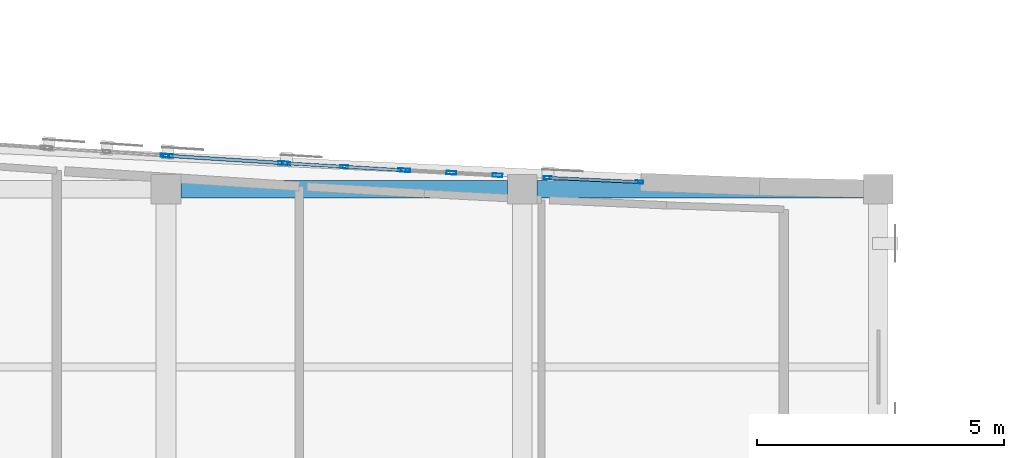
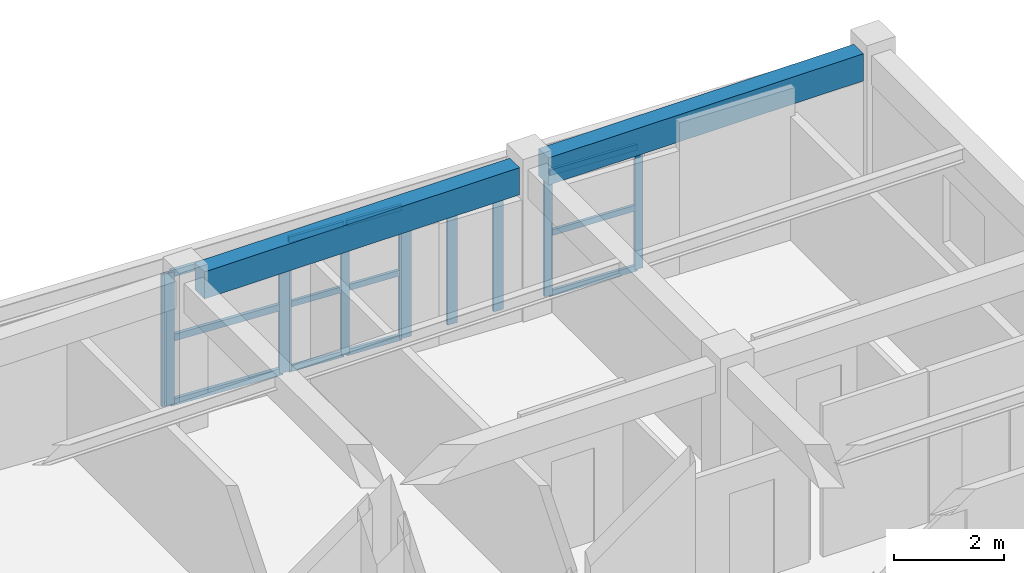
# One storey, part 40 of 73: 23 members, 2 beams, 5 elements without a shape of their own.
"""IFC4 building model written with IfcOpenShell, lengths in metres."""

from ifc_helpers import new_model, si_unit, direction, frame, origin, origin_2d, place, context, subcontext, project, spatial, rectangle, hollow_rectangle, extrude, material, layer, layer_set, material_profile, profile_set, type_object, element, aggregate, save


model = new_model("IFC4")

# Units and contexts
model_context = context("Model", 3, precision=1e-05, world=origin(), true_north=direction((0.0, 1.0)))
body_context = subcontext(model_context, "Body", "Model", "MODEL_VIEW")
ifc_project = project(units=[si_unit("LENGTHUNIT", "METRE"), si_unit("AREAUNIT", "SQUARE_METRE"), si_unit("VOLUMEUNIT", "CUBIC_METRE"), si_unit("PLANEANGLEUNIT", "RADIAN"), si_unit("MASSUNIT", "GRAM", prefix="KILO")], contexts=[model_context])

# Site, building, storey
site_placement = place(None, origin())
site = spatial("IfcSite", under=ifc_project, at=site_placement, CompositionType="ELEMENT")
building_placement = place(site_placement, origin())
building = spatial("IfcBuilding", under=site, at=building_placement, Name="Carrowvane Square Congress Hotel", CompositionType="ELEMENT")
storey_placement = place(building_placement, frame((0.0, 0.0, 19.199951171875)))
storey = spatial("IfcBuildingStorey", under=building, at=storey_placement, Name="L04", CompositionType="ELEMENT", Elevation=19.199951171875)

# Beams
ifc_material_1 = material(Name="Concrete C35/45", Category="concrete")
ifc_material_profile_1 = material_profile(ifc_material_1, rectangle(XDim=0.35009765625, YDim=0.60009765625, at=origin_2d()), Name="RC 350x600")
ifc_profile_set_1 = profile_set([ifc_material_profile_1], Name="Concrete C35/45")
beam_type = type_object("IfcBeamType", Name="BM-RC-350x600", PredefinedType="BEAM", material=ifc_profile_set_1)
for number, where, z_axis, x_axis, name in (
    (1, (148.699951171875, 113.39990234375, 3.050048828125), (1.0, 0.0, 0.0), (0.0, 1.0, 0.0), "L05 girder R/20-21"),
    (2, (155.89990234375, 113.39990234375, 3.050048828125), (1.0, 0.0, 0.0), (0.0, 1.0, 0.0), "L05 girder R/21-22"),
):
    element("IfcBeam", number, at=place(storey_placement, frame(where, z_axis=z_axis, x_axis=x_axis)), inside=storey, type_object=beam_type, Name=name, PredefinedType="BEAM", context=body_context, shape_type="SweptSolid", body=[
        extrude(rectangle(XDim=0.35009765625, YDim=0.60009765625, at=origin_2d()), origin(), (0.0, 0.0, 1.0), 6.60009765625),
    ])

# Curtain wall, member
ifc_material_2 = material(Name="Anodised aluminium", Category="aluminium")
ifc_layer_1 = layer(ifc_material_2, 0.2099609375)
ifc_layer_set_1 = layer_set([ifc_layer_1], Name="Anodised aluminium")
curtain_wall_type_1 = type_object("IfcCurtainWallType", Name="CW-SYS-5", PredefinedType="NOTDEFINED", material=ifc_layer_set_1)
curtain_wall_1_placement = place(storey_placement, origin())
curtain_wall_1 = element("IfcCurtainWall", 3, at=curtain_wall_1_placement, inside=storey, type_object=curtain_wall_type_1, Name="L04 unitised curtain wall 292", PredefinedType="NOTDEFINED")
ifc_material_3 = material(Name="Anodised aluminium", Category="aluminium")
ifc_material_profile_2 = material_profile(ifc_material_3, hollow_rectangle(XDim=0.06005859375, YDim=0.159912109375, WallThickness=0.00390625, at=origin_2d()), Name="CW-ML 60x160x4")
ifc_profile_set_2 = profile_set([ifc_material_profile_2], Name="Anodised aluminium")
member_type_1 = type_object("IfcMemberType", Name="CW-MUL-1", PredefinedType="MULLION", material=ifc_profile_set_2)
member_1_placement = place(storey_placement, frame((148.3701171875, 114.077392578125, 0.0), z_axis=(0.0, 0.0, 1.0), x_axis=(0.06657392244, 0.997781495544, 0.0)))
member_1 = element("IfcMember", 4, at=member_1_placement, type_object=member_type_1, Name="CW-5 mullion 3", PredefinedType="MULLION", context=body_context, shape_type="SweptSolid", body=[
    extrude(hollow_rectangle(XDim=0.06005859375, YDim=0.159912109375, WallThickness=0.00390625, at=origin_2d()), origin(), (0.0, 0.0, 1.0), 2.925537109375),
])
aggregate(curtain_wall_1, [member_1])

# Curtain wall, members
ifc_material_4 = material(Name="Anodised aluminium", Category="aluminium")
ifc_layer_2 = layer(ifc_material_4, 0.23388671875)
ifc_layer_set_2 = layer_set([ifc_layer_2], Name="Anodised aluminium")
curtain_wall_type_2 = type_object("IfcCurtainWallType", Name="CW-SYS-7", PredefinedType="NOTDEFINED", material=ifc_layer_set_2)
curtain_wall_2_placement = place(storey_placement, origin())
curtain_wall_2 = element("IfcCurtainWall", 5, at=curtain_wall_2_placement, inside=storey, type_object=curtain_wall_type_2, Name="L04 unitised curtain wall 294", PredefinedType="NOTDEFINED")
member_2_placement = place(storey_placement, frame((150.829833984375, 113.92138671875, 0.0), z_axis=(0.0, 0.0, 1.0), x_axis=(0.058988522254, 0.99825866099, 0.0)))
member_2 = element("IfcMember", 6, at=member_2_placement, type_object=member_type_1, Name="CW-7 mullion 1", PredefinedType="MULLION", context=body_context, shape_type="SweptSolid", body=[
    extrude(hollow_rectangle(XDim=0.06005859375, YDim=0.159912109375, WallThickness=0.00390625, at=origin_2d()), origin(), (0.0, 0.0, 1.0), 2.925537109375),
])
member_3_placement = place(storey_placement, frame((152.0, 113.852294921875, 0.0), z_axis=(0.0, 0.0, 1.0), x_axis=(0.058988522254, 0.99825866099, 0.0)))
member_3 = element("IfcMember", 7, at=member_3_placement, type_object=member_type_1, Name="CW-7 mullion 2", PredefinedType="MULLION", context=body_context, shape_type="SweptSolid", body=[
    extrude(hollow_rectangle(XDim=0.06005859375, YDim=0.159912109375, WallThickness=0.00390625, at=origin_2d()), origin(), (0.0, 0.0, 1.0), 2.925537109375),
])
member_4_placement = place(storey_placement, frame((153.170166015625, 113.783203125, 0.0), z_axis=(0.0, 0.0, 1.0), x_axis=(0.058988522254, 0.99825866099, 0.0)))
member_4 = element("IfcMember", 8, at=member_4_placement, type_object=member_type_1, Name="CW-7 mullion 3", PredefinedType="MULLION", context=body_context, shape_type="SweptSolid", body=[
    extrude(hollow_rectangle(XDim=0.06005859375, YDim=0.159912109375, WallThickness=0.00390625, at=origin_2d()), origin(), (0.0, 0.0, 1.0), 2.925537109375),
])

ifc_material_5 = material(Name="Anodised aluminium", Category="aluminium")
ifc_layer_3 = layer(ifc_material_5, 0.162109375)
ifc_layer_set_3 = layer_set([ifc_layer_3], Name="Anodised aluminium")
curtain_wall_type_3 = type_object("IfcCurtainWallType", Name="CW-SYS-1", PredefinedType="NOTDEFINED", material=ifc_layer_set_3)
curtain_wall_3_placement = place(storey_placement, origin())
curtain_wall_3 = element("IfcCurtainWall", 9, at=curtain_wall_3_placement, inside=storey, type_object=curtain_wall_type_3, Name="L04 unitised curtain wall 296", PredefinedType="NOTDEFINED")
member_5_placement = place(storey_placement, frame((156.11865234375, 113.628662109375, 0.0), z_axis=(0.0, 0.0, 1.0), x_axis=(0.046522035775, 0.998917263935, 0.0)))
member_5 = element("IfcMember", 10, at=member_5_placement, type_object=member_type_1, Name="CW-1 mullion 1", PredefinedType="MULLION", context=body_context, shape_type="SweptSolid", body=[
    extrude(hollow_rectangle(XDim=0.06005859375, YDim=0.159912109375, WallThickness=0.00390625, at=origin_2d()), origin(), (0.0, 0.0, 1.0), 2.735107421875),
])
member_6_placement = place(storey_placement, frame((157.969970703125, 113.54248046875, 0.0), z_axis=(0.0, 0.0, 1.0), x_axis=(0.046522035775, 0.998917263935, 0.0)))
member_6 = element("IfcMember", 11, at=member_6_placement, type_object=member_type_1, Name="CW-1 mullion 2", PredefinedType="MULLION", context=body_context, shape_type="SweptSolid", body=[
    extrude(hollow_rectangle(XDim=0.06005859375, YDim=0.159912109375, WallThickness=0.00390625, at=origin_2d()), origin(), (0.0, 0.0, 1.0), 2.735107421875),
])

ifc_material_6 = material(Name="Anodised aluminium", Category="aluminium")
ifc_layer_4 = layer(ifc_material_6, 0.221923828125)
ifc_layer_set_4 = layer_set([ifc_layer_4], Name="Anodised aluminium")
curtain_wall_type_4 = type_object("IfcCurtainWallType", Name="CW-SYS-6", PredefinedType="NOTDEFINED", material=ifc_layer_set_4)
curtain_wall_4_placement = place(storey_placement, origin())
curtain_wall_4 = element("IfcCurtainWall", 12, at=curtain_wall_4_placement, inside=storey, type_object=curtain_wall_type_4, Name="L04 unitised curtain wall 293", PredefinedType="NOTDEFINED")
ifc_material_7 = material(Name="Anodised aluminium", Category="aluminium")
ifc_material_profile_3 = material_profile(ifc_material_7, hollow_rectangle(XDim=0.070068359375, YDim=0.199951171875, WallThickness=0.0048828125, at=origin_2d()), Name="CW-ML 70x200x5")
ifc_profile_set_3 = profile_set([ifc_material_profile_3], Name="Anodised aluminium")
member_type_2 = type_object("IfcMemberType", Name="CW-MUL-2", PredefinedType="MULLION", material=ifc_profile_set_3)
member_7_placement = place(storey_placement, frame((148.434814453125, 114.0732421875, 0.0), z_axis=(0.0, 0.0, 1.0), x_axis=(0.063273487972, 0.997996225303, 0.0)))
member_7 = element("IfcMember", 13, at=member_7_placement, type_object=member_type_2, Name="CW-6 mullion 1", PredefinedType="MULLION", context=body_context, shape_type="SweptSolid", body=[
    extrude(hollow_rectangle(XDim=0.070068359375, YDim=0.199951171875, WallThickness=0.0048828125, at=origin_2d()), origin(), (0.0, 0.0, 1.0), 2.925537109375),
])
member_8_placement = place(storey_placement, frame((150.76513671875, 113.92529296875, 0.0), z_axis=(0.0, 0.0, 1.0), x_axis=(0.063273487972, 0.997996225303, 0.0)))
member_8 = element("IfcMember", 14, at=member_8_placement, type_object=member_type_2, Name="CW-6 mullion 2", PredefinedType="MULLION", context=body_context, shape_type="SweptSolid", body=[
    extrude(hollow_rectangle(XDim=0.070068359375, YDim=0.199951171875, WallThickness=0.0048828125, at=origin_2d()), origin(), (0.0, 0.0, 1.0), 2.925537109375),
])

ifc_material_8 = material(Name="Anodised aluminium", Category="aluminium")
ifc_layer_5 = layer(ifc_material_8, 0.24609375)
ifc_layer_set_5 = layer_set([ifc_layer_5], Name="Anodised aluminium")
curtain_wall_type_5 = type_object("IfcCurtainWallType", Name="CW-SYS-8", PredefinedType="NOTDEFINED", material=ifc_layer_set_5)
curtain_wall_5_placement = place(storey_placement, origin())
curtain_wall_5 = element("IfcCurtainWall", 15, at=curtain_wall_5_placement, inside=storey, type_object=curtain_wall_type_5, Name="L04 unitised curtain wall 295", PredefinedType="NOTDEFINED")
member_9_placement = place(storey_placement, frame((153.23486328125, 113.779541015625, 0.0), z_axis=(0.0, 0.0, 1.0), x_axis=(0.053516203185, 0.998566981227, 0.0)))
member_9 = element("IfcMember", 16, at=member_9_placement, type_object=member_type_2, Name="CW-8 mullion 1", PredefinedType="MULLION", context=body_context, shape_type="SweptSolid", body=[
    extrude(hollow_rectangle(XDim=0.070068359375, YDim=0.199951171875, WallThickness=0.0048828125, at=origin_2d()), origin(), (0.0, 0.0, 1.0), 2.735107421875),
])
member_10_placement = place(storey_placement, frame((154.16845703125, 113.7294921875, 0.0), z_axis=(0.0, 0.0, 1.0), x_axis=(0.053516203185, 0.998566981227, 0.0)))
member_10 = element("IfcMember", 17, at=member_10_placement, type_object=member_type_2, Name="CW-8 mullion 2", PredefinedType="MULLION", context=body_context, shape_type="SweptSolid", body=[
    extrude(hollow_rectangle(XDim=0.070068359375, YDim=0.199951171875, WallThickness=0.0048828125, at=origin_2d()), origin(), (0.0, 0.0, 1.0), 2.735107421875),
])
member_11_placement = place(storey_placement, frame((155.101806640625, 113.679443359375, 0.0), z_axis=(0.0, 0.0, 1.0), x_axis=(0.053516203185, 0.998566981227, 0.0)))
member_11 = element("IfcMember", 18, at=member_11_placement, type_object=member_type_2, Name="CW-8 mullion 3", PredefinedType="MULLION", context=body_context, shape_type="SweptSolid", body=[
    extrude(hollow_rectangle(XDim=0.070068359375, YDim=0.199951171875, WallThickness=0.0048828125, at=origin_2d()), origin(), (0.0, 0.0, 1.0), 2.735107421875),
])
aggregate(curtain_wall_5, [member_9, member_10, member_11])

# Member
ifc_material_9 = material(Name="Anodised aluminium", Category="aluminium")
ifc_material_profile_4 = material_profile(ifc_material_9, hollow_rectangle(XDim=0.06005859375, YDim=0.1298828125, WallThickness=0.00390625, at=origin_2d()), Name="CW-TR 60x130x4")
ifc_profile_set_4 = profile_set([ifc_material_profile_4], Name="Anodised aluminium")
member_type_3 = type_object("IfcMemberType", Name="CW-TRN-1", PredefinedType="USERDEFINED", material=ifc_profile_set_4)
member_12_placement = place(storey_placement, frame((150.85986328125, 113.919677734375, 0.030029296875), z_axis=(0.998254634076, -0.05905662999, 0.0), x_axis=(0.05905662999, 0.998254634076, 0.0)))
member_12 = element("IfcMember", 19, at=member_12_placement, type_object=member_type_3, Name="CW-7 transom 1.1", ObjectType="TRANSOM", PredefinedType="USERDEFINED", context=body_context, shape_type="SweptSolid", body=[
    extrude(hollow_rectangle(XDim=0.06005859375, YDim=0.1298828125, WallThickness=0.00390625, at=origin_2d()), origin(), (0.0, 0.0, 1.0), 1.112060546875),
])

member_13_placement = place(storey_placement, frame((150.85986328125, 113.919677734375, 1.462890625), z_axis=(0.998254634076, -0.05905662999, 0.0), x_axis=(0.05905662999, 0.998254634076, 0.0)))
member_13 = element("IfcMember", 20, at=member_13_placement, type_object=member_type_3, Name="CW-7 transom 1.2", ObjectType="TRANSOM", PredefinedType="USERDEFINED", context=body_context, shape_type="SweptSolid", body=[
    extrude(hollow_rectangle(XDim=0.06005859375, YDim=0.1298828125, WallThickness=0.00390625, at=origin_2d()), origin(), (0.0, 0.0, 1.0), 1.112060546875),
])

member_14_placement = place(storey_placement, frame((150.85986328125, 113.919677734375, 2.895751953125), z_axis=(0.998254634076, -0.05905662999, 0.0), x_axis=(0.05905662999, 0.998254634076, 0.0)))
member_14 = element("IfcMember", 21, at=member_14_placement, type_object=member_type_3, Name="CW-7 transom 1.3", ObjectType="TRANSOM", PredefinedType="USERDEFINED", context=body_context, shape_type="SweptSolid", body=[
    extrude(hollow_rectangle(XDim=0.06005859375, YDim=0.1298828125, WallThickness=0.00390625, at=origin_2d()), origin(), (0.0, 0.0, 1.0), 1.112060546875),
])

member_15_placement = place(storey_placement, frame((152.030029296875, 113.8505859375, 0.030029296875), z_axis=(0.998254634076, -0.05905662999, 0.0), x_axis=(0.05905662999, 0.998254634076, 0.0)))
member_15 = element("IfcMember", 22, at=member_15_placement, type_object=member_type_3, Name="CW-7 transom 2.1", ObjectType="TRANSOM", PredefinedType="USERDEFINED", context=body_context, shape_type="SweptSolid", body=[
    extrude(hollow_rectangle(XDim=0.06005859375, YDim=0.1298828125, WallThickness=0.00390625, at=origin_2d()), origin(), (0.0, 0.0, 1.0), 1.112060546875),
])

member_16_placement = place(storey_placement, frame((152.030029296875, 113.8505859375, 1.462890625), z_axis=(0.998254634076, -0.05905662999, 0.0), x_axis=(0.05905662999, 0.998254634076, 0.0)))
member_16 = element("IfcMember", 23, at=member_16_placement, type_object=member_type_3, Name="CW-7 transom 2.2", ObjectType="TRANSOM", PredefinedType="USERDEFINED", context=body_context, shape_type="SweptSolid", body=[
    extrude(hollow_rectangle(XDim=0.06005859375, YDim=0.1298828125, WallThickness=0.00390625, at=origin_2d()), origin(), (0.0, 0.0, 1.0), 1.112060546875),
])

member_17_placement = place(storey_placement, frame((152.030029296875, 113.8505859375, 2.895751953125), z_axis=(0.998254634076, -0.05905662999, 0.0), x_axis=(0.05905662999, 0.998254634076, 0.0)))
member_17 = element("IfcMember", 24, at=member_17_placement, type_object=member_type_3, Name="CW-7 transom 2.3", ObjectType="TRANSOM", PredefinedType="USERDEFINED", context=body_context, shape_type="SweptSolid", body=[
    extrude(hollow_rectangle(XDim=0.06005859375, YDim=0.1298828125, WallThickness=0.00390625, at=origin_2d()), origin(), (0.0, 0.0, 1.0), 1.112060546875),
])

aggregate(curtain_wall_2, [member_2, member_3, member_4, member_12, member_13, member_14, member_15, member_16, member_17])

member_18_placement = place(storey_placement, frame((156.1484375, 113.627197265625, 0.030029296875), z_axis=(0.998915968728, -0.04654983803, 0.0), x_axis=(0.04654983803, 0.998915968728, 0.0)))
member_18 = element("IfcMember", 25, at=member_18_placement, type_object=member_type_3, Name="CW-1 transom 1.1", ObjectType="TRANSOM", PredefinedType="USERDEFINED", context=body_context, shape_type="SweptSolid", body=[
    extrude(hollow_rectangle(XDim=0.06005859375, YDim=0.1298828125, WallThickness=0.00390625, at=origin_2d()), origin(), (0.0, 0.0, 1.0), 1.793701171875),
])

member_19_placement = place(storey_placement, frame((156.1484375, 113.627197265625, 1.367431640625), z_axis=(0.998915968728, -0.04654983803, 0.0), x_axis=(0.04654983803, 0.998915968728, 0.0)))
member_19 = element("IfcMember", 26, at=member_19_placement, type_object=member_type_3, Name="CW-1 transom 1.2", ObjectType="TRANSOM", PredefinedType="USERDEFINED", context=body_context, shape_type="SweptSolid", body=[
    extrude(hollow_rectangle(XDim=0.06005859375, YDim=0.1298828125, WallThickness=0.00390625, at=origin_2d()), origin(), (0.0, 0.0, 1.0), 1.793701171875),
])

member_20_placement = place(storey_placement, frame((156.1484375, 113.627197265625, 2.705078125), z_axis=(0.998915968728, -0.04654983803, 0.0), x_axis=(0.04654983803, 0.998915968728, 0.0)))
member_20 = element("IfcMember", 27, at=member_20_placement, type_object=member_type_3, Name="CW-1 transom 1.3", ObjectType="TRANSOM", PredefinedType="USERDEFINED", context=body_context, shape_type="SweptSolid", body=[
    extrude(hollow_rectangle(XDim=0.06005859375, YDim=0.1298828125, WallThickness=0.00390625, at=origin_2d()), origin(), (0.0, 0.0, 1.0), 1.793701171875),
])

aggregate(curtain_wall_3, [member_5, member_6, member_18, member_19, member_20])

ifc_material_10 = material(Name="Anodised aluminium", Category="aluminium")
ifc_material_profile_5 = material_profile(ifc_material_10, hollow_rectangle(XDim=0.070068359375, YDim=0.14990234375, WallThickness=0.0048828125, at=origin_2d()), Name="CW-TR 70x150x5")
ifc_profile_set_5 = profile_set([ifc_material_profile_5], Name="Anodised aluminium")
member_type_4 = type_object("IfcMemberType", Name="CW-TRN-2", PredefinedType="USERDEFINED", material=ifc_profile_set_5)
member_21_placement = place(storey_placement, frame((148.469970703125, 114.07080078125, 0.03515625), z_axis=(0.997995967248, -0.063277558088, 0.0), x_axis=(0.063277558088, 0.997995967248, 0.0)))
member_21 = element("IfcMember", 28, at=member_21_placement, type_object=member_type_4, Name="CW-6 transom 1.1", ObjectType="TRANSOM", PredefinedType="USERDEFINED", context=body_context, shape_type="SweptSolid", body=[
    extrude(hollow_rectangle(XDim=0.070068359375, YDim=0.14990234375, WallThickness=0.0048828125, at=origin_2d()), origin(), (0.0, 0.0, 1.0), 2.264892578125),
])

member_22_placement = place(storey_placement, frame((148.469970703125, 114.07080078125, 1.462890625), z_axis=(0.997995967248, -0.063277558088, 0.0), x_axis=(0.063277558088, 0.997995967248, 0.0)))
member_22 = element("IfcMember", 29, at=member_22_placement, type_object=member_type_4, Name="CW-6 transom 1.2", ObjectType="TRANSOM", PredefinedType="USERDEFINED", context=body_context, shape_type="SweptSolid", body=[
    extrude(hollow_rectangle(XDim=0.070068359375, YDim=0.14990234375, WallThickness=0.0048828125, at=origin_2d()), origin(), (0.0, 0.0, 1.0), 2.264892578125),
])

member_23_placement = place(storey_placement, frame((148.469970703125, 114.07080078125, 2.890625), z_axis=(0.997995967248, -0.063277558088, 0.0), x_axis=(0.063277558088, 0.997995967248, 0.0)))
member_23 = element("IfcMember", 30, at=member_23_placement, type_object=member_type_4, Name="CW-6 transom 1.3", ObjectType="TRANSOM", PredefinedType="USERDEFINED", context=body_context, shape_type="SweptSolid", body=[
    extrude(hollow_rectangle(XDim=0.070068359375, YDim=0.14990234375, WallThickness=0.0048828125, at=origin_2d()), origin(), (0.0, 0.0, 1.0), 2.264892578125),
])

aggregate(curtain_wall_4, [member_7, member_8, member_21, member_22, member_23])

save(model, "model.ifc")
